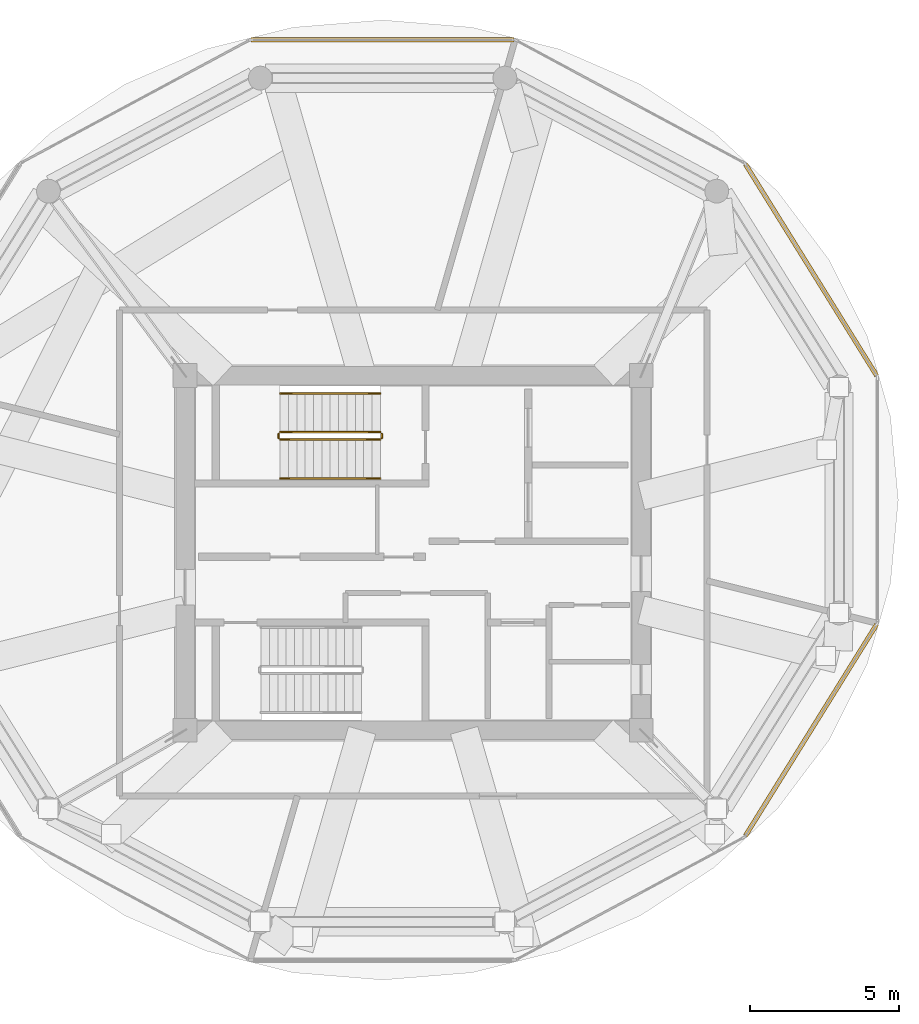
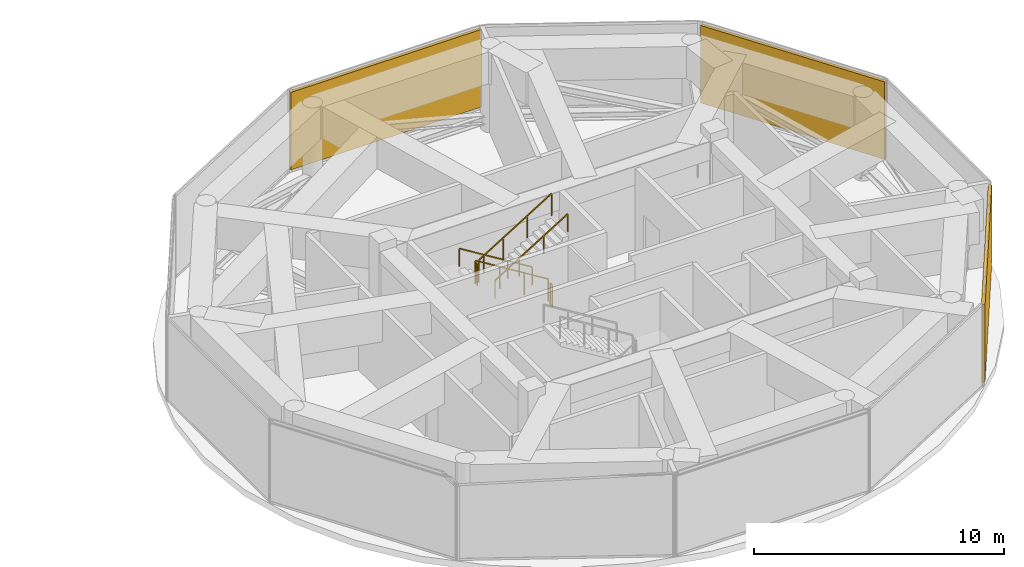
# One storey, part 20 of 20: 6 railings, 3 shading devices.
"""IFC4 building model written with IfcOpenShell, lengths in metres."""

from ifc_helpers import new_model, si_unit, direction, frame, origin, origin_2d, place, context, subcontext, project, spatial, rectangle, extrude, source, transform, mapped, material, type_object, type_shapes, element, save


model = new_model("IFC4")

# Units and contexts
model_context = context("Model", 3, precision=1e-05, world=origin(), true_north=direction((0.0, 1.0)))
body_context = subcontext(model_context, "Body", "Model", "MODEL_VIEW")
ifc_project = project(units=[si_unit("LENGTHUNIT", "METRE"), si_unit("AREAUNIT", "SQUARE_METRE"), si_unit("VOLUMEUNIT", "CUBIC_METRE"), si_unit("PLANEANGLEUNIT", "RADIAN"), si_unit("MASSUNIT", "GRAM", prefix="KILO")], contexts=[model_context])

# Site, building, storey
site_placement = place(None, origin())
site = spatial("IfcSite", under=ifc_project, at=site_placement, CompositionType="ELEMENT")
building_placement = place(site_placement, origin())
building = spatial("IfcBuilding", under=site, at=building_placement, Name="Norrkilde Senior Care Towers", CompositionType="ELEMENT")
storey_placement = place(building_placement, frame((0.0, 0.0, 186.14990234375)))
storey = spatial("IfcBuildingStorey", under=building, at=storey_placement, Name="L58", CompositionType="ELEMENT", Elevation=186.14990234375)

# Railings
ifc_material_1 = material(Name="Stainless Steel", Category="steel")
railing_type_1 = type_object("IfcRailingType", Name="Stair and Terrace Guardrail 1100", PredefinedType="GUARDRAIL", material=ifc_material_1)
railing_1_placement = place(storey_placement, frame((26.89990234375, 4.050048828125, 0.173095703125)))
element("IfcRailing", 1, at=railing_1_placement, inside=storey, type_object=railing_type_1, Name="L58 ST-E1 stair guard 1", PredefinedType="GUARDRAIL", context=body_context, shape_type="SweptSolid", body=[
    extrude(rectangle(XDim=0.048095703125, YDim=0.048095703125, at=origin_2d()), frame((0.0, 0.0, 1.076171875), z_axis=(-0.850606129759, 0.0, 0.525803396734), x_axis=(0.0, -1.0, 0.0)), (0.0, 0.0, 1.0), 3.949951171875),
    extrude(rectangle(XDim=0.0419921875, YDim=0.0419921875, at=origin_2d()), origin(), (0.0, 0.0, 1.0), 1.050048828125),
    extrude(rectangle(XDim=0.0419921875, YDim=0.0419921875, at=origin_2d()), frame((-1.119873046875, 0.0, 0.6923828125)), (0.0, 0.0, 1.0), 1.050048828125),
    extrude(rectangle(XDim=0.0419921875, YDim=0.0419921875, at=origin_2d()), frame((-2.239990234375, 0.0, 1.384521484375)), (0.0, 0.0, 1.0), 1.050048828125),
    extrude(rectangle(XDim=0.0419921875, YDim=0.0419921875, at=origin_2d()), frame((-3.35986328125, 0.0, 2.076904296875)), (0.0, 0.0, 1.0), 1.050048828125),
])
railing_2_placement = place(storey_placement, frame((23.489990234375, 4.0, 2.25)))
element("IfcRailing", 2, at=railing_2_placement, inside=storey, type_object=railing_type_1, Name="L58 ST-E1 stair guard 2", PredefinedType="GUARDRAIL", context=body_context, shape_type="SweptSolid", body=[
    extrude(rectangle(XDim=0.048095703125, YDim=0.048095703125, at=origin_2d()), frame((0.0, 0.0, 1.076171875), z_axis=(0.0, -1.0, 0.0), x_axis=(1.0, 0.0, 0.0)), (0.0, 0.0, 1.0), 0.14990234375),
    extrude(rectangle(XDim=0.0419921875, YDim=0.0419921875, at=origin_2d()), origin(), (0.0, 0.0, 1.0), 1.050048828125),
    extrude(rectangle(XDim=0.0419921875, YDim=0.0419921875, at=origin_2d()), frame((0.0, -0.14990234375, 0.0)), (0.0, 0.0, 1.0), 1.050048828125),
])
railing_3_placement = place(storey_placement, frame((23.5400390625, 3.800048828125, 2.423095703125)))
element("IfcRailing", 3, at=railing_3_placement, inside=storey, type_object=railing_type_1, Name="L58 ST-E1 stair guard 3", PredefinedType="GUARDRAIL", context=body_context, shape_type="SweptSolid", body=[
    extrude(rectangle(XDim=0.048095703125, YDim=0.048095703125, at=origin_2d()), frame((0.0, 0.0, 1.076171875), z_axis=(0.850606129759, 0.0, 0.525803396734), x_axis=(0.0, 1.0, 0.0)), (0.0, 0.0, 1.0), 3.949951171875),
    extrude(rectangle(XDim=0.0419921875, YDim=0.0419921875, at=origin_2d()), origin(), (0.0, 0.0, 1.0), 1.050048828125),
    extrude(rectangle(XDim=0.0419921875, YDim=0.0419921875, at=origin_2d()), frame((1.119873046875, 0.0, 0.6923828125)), (0.0, 0.0, 1.0), 1.050048828125),
    extrude(rectangle(XDim=0.0419921875, YDim=0.0419921875, at=origin_2d()), frame((2.239990234375, 0.0, 1.384521484375)), (0.0, 0.0, 1.0), 1.050048828125),
    extrude(rectangle(XDim=0.0419921875, YDim=0.0419921875, at=origin_2d()), frame((3.35986328125, 0.0, 2.076904296875)), (0.0, 0.0, 1.0), 1.050048828125),
])
railing_4_placement = place(storey_placement, frame((26.949951171875, 4.0, 0.0)))
element("IfcRailing", 4, at=railing_4_placement, inside=storey, type_object=railing_type_1, Name="L58 ST-E1 stair guard 4", PredefinedType="GUARDRAIL", context=body_context, shape_type="SweptSolid", body=[
    extrude(rectangle(XDim=0.048095703125, YDim=0.048095703125, at=origin_2d()), frame((0.0, 0.0, 1.076171875), z_axis=(0.0, -1.0, 0.0), x_axis=(1.0, 0.0, 0.0)), (0.0, 0.0, 1.0), 0.14990234375),
    extrude(rectangle(XDim=0.0419921875, YDim=0.0419921875, at=origin_2d()), origin(), (0.0, 0.0, 1.0), 1.050048828125),
    extrude(rectangle(XDim=0.0419921875, YDim=0.0419921875, at=origin_2d()), frame((0.0, -0.14990234375, 0.0)), (0.0, 0.0, 1.0), 1.050048828125),
])
ifc_material_2 = material(Name="Nordic Ash Timber", Category="wood")
railing_type_2 = type_object("IfcRailingType", Name="Wall and Stair Handrail 900", PredefinedType="HANDRAIL", material=ifc_material_2)
railing_5_placement = place(storey_placement, frame((26.89990234375, 5.35009765625, 0.173095703125)))
element("IfcRailing", 5, at=railing_5_placement, inside=storey, type_object=railing_type_2, Name="L58 ST-E1 stair handrail 1", PredefinedType="HANDRAIL", context=body_context, shape_type="SweptSolid", body=[
    extrude(rectangle(XDim=0.048095703125, YDim=0.048095703125, at=origin_2d()), frame((0.0, 0.0, 0.8759765625), z_axis=(-0.850606129759, 0.0, 0.525803396734), x_axis=(0.0, -1.0, 0.0)), (0.0, 0.0, 1.0), 3.949951171875),
    extrude(rectangle(XDim=0.0419921875, YDim=0.0419921875, at=origin_2d()), origin(), (0.0, 0.0, 1.0), 0.849853515625),
    extrude(rectangle(XDim=0.0419921875, YDim=0.0419921875, at=origin_2d()), frame((-1.119873046875, 0.0, 0.6923828125)), (0.0, 0.0, 1.0), 0.849853515625),
    extrude(rectangle(XDim=0.0419921875, YDim=0.0419921875, at=origin_2d()), frame((-2.239990234375, 0.0, 1.384521484375)), (0.0, 0.0, 1.0), 0.849853515625),
    extrude(rectangle(XDim=0.0419921875, YDim=0.0419921875, at=origin_2d()), frame((-3.35986328125, 0.0, 2.076904296875)), (0.0, 0.0, 1.0), 0.849853515625),
])
railing_6_placement = place(storey_placement, frame((23.5400390625, 2.5, 2.423095703125)))
element("IfcRailing", 6, at=railing_6_placement, inside=storey, type_object=railing_type_2, Name="L58 ST-E1 stair handrail 2", PredefinedType="HANDRAIL", context=body_context, shape_type="SweptSolid", body=[
    extrude(rectangle(XDim=0.048095703125, YDim=0.048095703125, at=origin_2d()), frame((0.0, 0.0, 0.8759765625), z_axis=(0.850606129759, 0.0, 0.525803396734), x_axis=(0.0, 1.0, 0.0)), (0.0, 0.0, 1.0), 3.949951171875),
    extrude(rectangle(XDim=0.0419921875, YDim=0.0419921875, at=origin_2d()), origin(), (0.0, 0.0, 1.0), 0.849853515625),
    extrude(rectangle(XDim=0.0419921875, YDim=0.0419921875, at=origin_2d()), frame((1.119873046875, 0.0, 0.6923828125)), (0.0, 0.0, 1.0), 0.849853515625),
    extrude(rectangle(XDim=0.0419921875, YDim=0.0419921875, at=origin_2d()), frame((2.239990234375, 0.0, 1.384521484375)), (0.0, 0.0, 1.0), 0.849853515625),
    extrude(rectangle(XDim=0.0419921875, YDim=0.0419921875, at=origin_2d()), frame((3.35986328125, 0.0, 2.076904296875)), (0.0, 0.0, 1.0), 0.849853515625),
])

# Shading devices
ifc_material_3 = material(Name="Anodised Aluminium", Category="aluminium")
shading_device_type = type_object("IfcShadingDeviceType", Name="Plant and Crown Acoustic Louvre Screen", PredefinedType="JALOUSIE", material=ifc_material_3)
shared_shape_1 = source(origin(), body_context, "Body", "SweptSolid", [
    extrude(rectangle(XDim=8.351318359375, YDim=0.14990234375, at=origin_2d()), origin(), (0.0, 0.0, 1.0), 3.780029296875),
])
for number, where, z_axis, x_axis, name in (
    (7, (41.346435546875, 9.4931640625, 0.14990234375), (0.0, 0.0, 1.0), (0.52737270789, -0.84963405474, 0.0), "L58 Plant Acoustic Louvre Screen E-00"),
    (8, (41.346435546875, -5.9423828125, 0.14990234375), (0.0, 0.0, 1.0), (-0.52737270789, -0.84963405474, 0.0), "L58 Plant Acoustic Louvre Screen E-10"),
):
    element("IfcShadingDevice", number, at=place(storey_placement, frame(where, z_axis=z_axis, x_axis=x_axis)), inside=storey, type_object=shading_device_type, Name=name, PredefinedType="JALOUSIE", context=body_context, shape_type="MappedRepresentation", body=[
        mapped(shared_shape_1, transform((0.0, 0.0, 0.0), x_axis=(1.0, 0.0, 0.0), y_axis=(0.0, 1.0, 0.0), z_axis=(0.0, 0.0, 1.0), scale=1.0)),
    ])
shared_shape_2 = source(origin(), body_context, "Body", "SweptSolid", [
    extrude(rectangle(XDim=8.81298828125, YDim=0.14990234375, at=origin_2d()), origin(), (0.0, 0.0, 1.0), 3.780029296875),
])
type_shapes(shading_device_type, [shared_shape_1, shared_shape_2])
shading_device_placement = place(storey_placement, frame((26.97509765625, 17.2109375, 0.14990234375), z_axis=(0.0, 0.0, 1.0), x_axis=(1.0, 0.0, 0.0)))
element("IfcShadingDevice", 9, at=shading_device_placement, inside=storey, type_object=shading_device_type, Name="L58 Plant Acoustic Louvre Screen E-02", PredefinedType="JALOUSIE", context=body_context, shape_type="MappedRepresentation", body=[
    mapped(shared_shape_2, transform((0.0, 0.0, 0.0), x_axis=(1.0, 0.0, 0.0), y_axis=(0.0, 1.0, 0.0), z_axis=(0.0, 0.0, 1.0), scale=1.0)),
])

save(model, "model.ifc")
